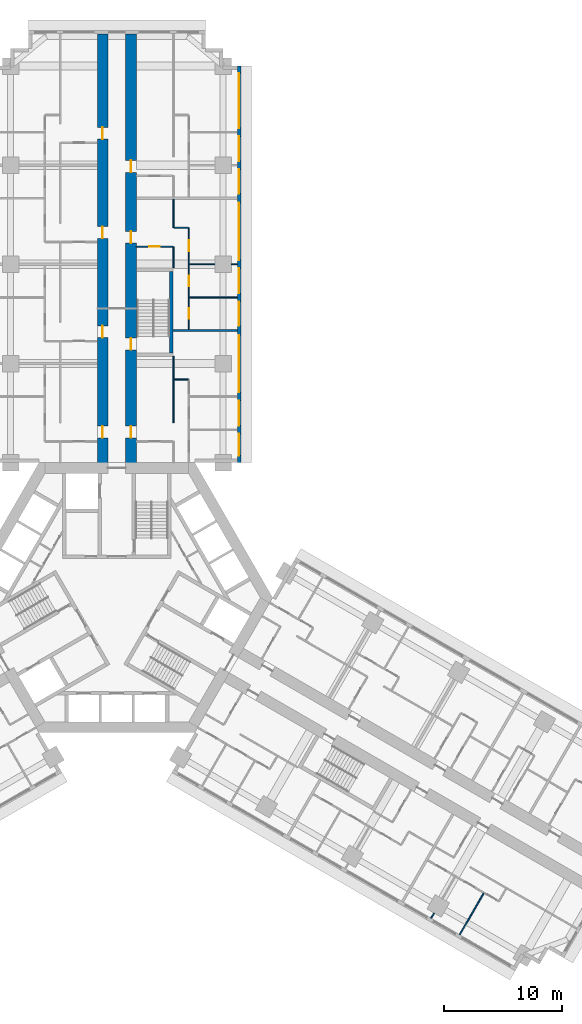
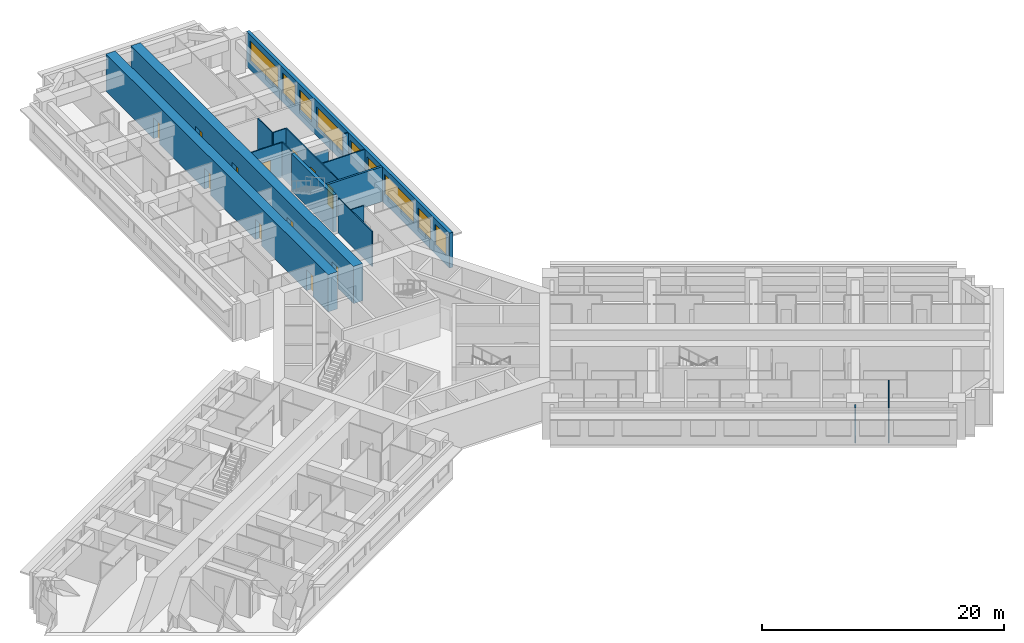
# One storey, part 10 of 16: 17 walls, 12 doors, 9 windows, 21 openings.
"""IFC4 building model written with IfcOpenShell, lengths in metres."""

from ifc_helpers import new_model, si_unit, direction, frame, frame_2d, origin, place, context, subcontext, project, spatial, rectangle, extrude, material, layer, layer_set, type_object, element, fill, save


model = new_model("IFC4")

# Units and contexts
model_context = context("Model", 3, precision=1e-05, world=origin(), true_north=direction((0.0, 1.0)))
body_context = subcontext(model_context, "Body", "Model", "MODEL_VIEW")
ifc_project = project(units=[si_unit("LENGTHUNIT", "METRE"), si_unit("AREAUNIT", "SQUARE_METRE"), si_unit("VOLUMEUNIT", "CUBIC_METRE"), si_unit("PLANEANGLEUNIT", "RADIAN"), si_unit("MASSUNIT", "GRAM", prefix="KILO")], contexts=[model_context])

# Site, building, storey
site_placement = place(None, origin())
site = spatial("IfcSite", under=ifc_project, at=site_placement, CompositionType="ELEMENT")
building_placement = place(site_placement, origin())
building = spatial("IfcBuilding", under=site, at=building_placement, Name="Impinga Residences", CompositionType="ELEMENT")
storey_placement = place(building_placement, frame((0.0, 0.0, 71.0)))
storey = spatial("IfcBuildingStorey", under=building, at=storey_placement, Name="L17", CompositionType="ELEMENT", Elevation=71.0)

# Wall, openings, doors
ifc_material_1 = material(Name="Concrete C70/85", Category="concrete")
ifc_layer_1 = layer(ifc_material_1, 0.89990234375)
ifc_layer_set_1 = layer_set([ifc_layer_1], Name="Concrete C70/85")
wall_type_1 = type_object("IfcWallType", Name="BW1 corridor buttress wall, L05 to L22 900", PredefinedType="SHEAR", material=ifc_layer_set_1)
wall_1_placement = place(storey_placement, frame((-1.199951171875, 10.9814453125, 0.0), z_axis=(0.0, 0.0, 1.0), x_axis=(0.0, 1.0, 0.0)))
wall_1 = element("IfcWall", 1, at=wall_1_placement, inside=storey, type_object=wall_type_1, Name="Corridor wall BW1 NC L17", PredefinedType="SHEAR", context=body_context, shape_type="SweptSolid", body=[
    extrude(rectangle(XDim=36.75, YDim=0.89990234375, at=frame_2d((18.375, 0.0))), origin(), (0.0, 0.0, 1.0), 3.75),
])
opening_1_placement = place(wall_1_placement, frame((2.550048828125, 0.0, 0.0)))
opening_1 = element("IfcOpeningElement", 2, at=opening_1_placement, cuts=wall_1, Name="Opening D1", PredefinedType="OPENING", context=body_context, shape_type="SweptSolid", body=[
    extrude(rectangle(XDim=1.0, YDim=2.10009765625, at=frame_2d((0.5, 1.050048828125))), frame((0.0, 0.4599609375, 0.0), z_axis=(0.0, -1.0, 0.0), x_axis=(1.0, 0.0, 0.0)), (0.0, 0.0, 1.0), 0.919921875),
])
opening_2_placement = place(wall_1_placement, frame((11.050048828125, 0.0, 0.0)))
opening_2 = element("IfcOpeningElement", 3, at=opening_2_placement, cuts=wall_1, Name="Opening D1", PredefinedType="OPENING", context=body_context, shape_type="SweptSolid", body=[
    extrude(rectangle(XDim=1.0, YDim=2.10009765625, at=frame_2d((0.5, 1.050048828125))), frame((0.0, 0.4599609375, 0.0), z_axis=(0.0, -1.0, 0.0), x_axis=(1.0, 0.0, 0.0)), (0.0, 0.0, 1.0), 0.919921875),
])
opening_3_placement = place(wall_1_placement, frame((19.449951171875, 0.0, 0.0)))
opening_3 = element("IfcOpeningElement", 4, at=opening_3_placement, cuts=wall_1, Name="Opening D1", PredefinedType="OPENING", context=body_context, shape_type="SweptSolid", body=[
    extrude(rectangle(XDim=1.0, YDim=2.10009765625, at=frame_2d((0.5, 1.050048828125))), frame((0.0, 0.4599609375, 0.0), z_axis=(0.0, -1.0, 0.0), x_axis=(1.0, 0.0, 0.0)), (0.0, 0.0, 1.0), 0.919921875),
])
opening_4_placement = place(wall_1_placement, frame((27.85009765625, 0.0, 0.0)))
opening_4 = element("IfcOpeningElement", 5, at=opening_4_placement, cuts=wall_1, Name="Opening D1", PredefinedType="OPENING", context=body_context, shape_type="SweptSolid", body=[
    extrude(rectangle(XDim=1.0, YDim=2.10009765625, at=frame_2d((0.5, 1.050048828125))), frame((0.0, 0.4599609375, 0.0), z_axis=(0.0, -1.0, 0.0), x_axis=(1.0, 0.0, 0.0)), (0.0, 0.0, 1.0), 0.919921875),
])
ifc_material_2 = material(Name="Timber door set", Category="wood")
door_type_1 = type_object("IfcDoorType", Name="D1 apartment entrance door 1000x2100", OperationType="SINGLE_SWING_LEFT", PredefinedType="DOOR", material=ifc_material_2)
door_1_placement = place(opening_1_placement, origin())
door_1 = element("IfcDoor", 6, at=door_1_placement, inside=storey, type_object=door_type_1, Name="Apartment L17-NA1 entrance", OperationType="SINGLE_SWING_LEFT", OverallHeight=2.10009765625, OverallWidth=1.0, PredefinedType="DOOR", context=body_context, shape_type="SweptSolid", body=[
    extrude(rectangle(XDim=1.0, YDim=2.10009765625, at=frame_2d((0.5, 1.050048828125))), frame((0.0, 0.02490234375, 0.0), z_axis=(0.0, -1.0, 0.0), x_axis=(1.0, 0.0, 0.0)), (0.0, 0.0, 1.0), 0.050048828125),
])
fill(opening_1, door_1)
door_2_placement = place(opening_2_placement, origin())
door_2 = element("IfcDoor", 7, at=door_2_placement, inside=storey, type_object=door_type_1, Name="Apartment L17-NA2 entrance", OperationType="SINGLE_SWING_LEFT", OverallHeight=2.10009765625, OverallWidth=1.0, PredefinedType="DOOR", context=body_context, shape_type="SweptSolid", body=[
    extrude(rectangle(XDim=1.0, YDim=2.10009765625, at=frame_2d((0.5, 1.050048828125))), frame((0.0, 0.02490234375, 0.0), z_axis=(0.0, -1.0, 0.0), x_axis=(1.0, 0.0, 0.0)), (0.0, 0.0, 1.0), 0.050048828125),
])
fill(opening_2, door_2)
door_3_placement = place(opening_3_placement, origin())
door_3 = element("IfcDoor", 8, at=door_3_placement, inside=storey, type_object=door_type_1, Name="Apartment L17-NA3 entrance", OperationType="SINGLE_SWING_RIGHT", OverallHeight=2.10009765625, OverallWidth=1.0, PredefinedType="DOOR", context=body_context, shape_type="SweptSolid", body=[
    extrude(rectangle(XDim=1.0, YDim=2.10009765625, at=frame_2d((0.5, 1.050048828125))), frame((0.0, 0.02490234375, 0.0), z_axis=(0.0, -1.0, 0.0), x_axis=(1.0, 0.0, 0.0)), (0.0, 0.0, 1.0), 0.050048828125),
])
fill(opening_3, door_3)
door_4_placement = place(opening_4_placement, origin())
door_4 = element("IfcDoor", 9, at=door_4_placement, inside=storey, type_object=door_type_1, Name="Apartment L17-NA4 entrance", OperationType="SINGLE_SWING_RIGHT", OverallHeight=2.10009765625, OverallWidth=1.0, PredefinedType="DOOR", context=body_context, shape_type="SweptSolid", body=[
    extrude(rectangle(XDim=1.0, YDim=2.10009765625, at=frame_2d((0.5, 1.050048828125))), frame((0.0, 0.02490234375, 0.0), z_axis=(0.0, -1.0, 0.0), x_axis=(1.0, 0.0, 0.0)), (0.0, 0.0, 1.0), 0.050048828125),
])
fill(opening_4, door_4)

wall_2_placement = place(storey_placement, frame((1.199951171875, 10.9814453125, 0.0), z_axis=(0.0, 0.0, 1.0), x_axis=(0.0, 1.0, 0.0)))
wall_2 = element("IfcWall", 10, at=wall_2_placement, inside=storey, type_object=wall_type_1, Name="Corridor wall BW1 ND L17", PredefinedType="SHEAR", context=body_context, shape_type="SweptSolid", body=[
    extrude(rectangle(XDim=36.75, YDim=0.89990234375, at=frame_2d((18.375, 0.0))), origin(), (0.0, 0.0, 1.0), 3.75),
])
opening_5_placement = place(wall_2_placement, frame((10.0, 0.0, 0.0)))
opening_5 = element("IfcOpeningElement", 11, at=opening_5_placement, cuts=wall_2, Name="Opening D5", PredefinedType="OPENING", context=body_context, shape_type="SweptSolid", body=[
    extrude(rectangle(XDim=1.0, YDim=2.10009765625, at=frame_2d((0.5, 1.050048828125))), frame((0.0, 0.4599609375, 0.0), z_axis=(0.0, -1.0, 0.0), x_axis=(1.0, 0.0, 0.0)), (0.0, 0.0, 1.0), 0.919921875),
])
opening_6_placement = place(wall_2_placement, frame((2.550048828125, 0.0, 0.0)))
opening_6 = element("IfcOpeningElement", 12, at=opening_6_placement, cuts=wall_2, Name="Opening D1", PredefinedType="OPENING", context=body_context, shape_type="SweptSolid", body=[
    extrude(rectangle(XDim=1.0, YDim=2.10009765625, at=frame_2d((0.5, 1.050048828125))), frame((0.0, 0.4599609375, 0.0), z_axis=(0.0, -1.0, 0.0), x_axis=(1.0, 0.0, 0.0)), (0.0, 0.0, 1.0), 0.919921875),
])
opening_7_placement = place(wall_2_placement, frame((19.050048828125, 0.0, 0.0)))
opening_7 = element("IfcOpeningElement", 13, at=opening_7_placement, cuts=wall_2, Name="Opening D1", PredefinedType="OPENING", context=body_context, shape_type="SweptSolid", body=[
    extrude(rectangle(XDim=1.0, YDim=2.10009765625, at=frame_2d((0.5, 1.050048828125))), frame((0.0, 0.4599609375, 0.0), z_axis=(0.0, -1.0, 0.0), x_axis=(1.0, 0.0, 0.0)), (0.0, 0.0, 1.0), 0.919921875),
])
opening_8_placement = place(wall_2_placement, frame((25.050048828125, 0.0, 0.0)))
opening_8 = element("IfcOpeningElement", 14, at=opening_8_placement, cuts=wall_2, Name="Opening D1", PredefinedType="OPENING", context=body_context, shape_type="SweptSolid", body=[
    extrude(rectangle(XDim=1.0, YDim=2.10009765625, at=frame_2d((0.5, 1.050048828125))), frame((0.0, 0.4599609375, 0.0), z_axis=(0.0, -1.0, 0.0), x_axis=(1.0, 0.0, 0.0)), (0.0, 0.0, 1.0), 0.919921875),
])
door_5_placement = place(opening_6_placement, origin())
door_5 = element("IfcDoor", 15, at=door_5_placement, inside=storey, type_object=door_type_1, Name="Apartment L17-NF1 entrance", OperationType="SINGLE_SWING_LEFT", OverallHeight=2.10009765625, OverallWidth=1.0, PredefinedType="DOOR", context=body_context, shape_type="SweptSolid", body=[
    extrude(rectangle(XDim=1.0, YDim=2.10009765625, at=frame_2d((0.5, 1.050048828125))), frame((0.0, 0.02490234375, 0.0), z_axis=(0.0, -1.0, 0.0), x_axis=(1.0, 0.0, 0.0)), (0.0, 0.0, 1.0), 0.050048828125),
])
fill(opening_6, door_5)
door_6_placement = place(opening_7_placement, origin())
door_6 = element("IfcDoor", 16, at=door_6_placement, inside=storey, type_object=door_type_1, Name="Apartment L17-NF2 entrance", OperationType="SINGLE_SWING_RIGHT", OverallHeight=2.10009765625, OverallWidth=1.0, PredefinedType="DOOR", context=body_context, shape_type="SweptSolid", body=[
    extrude(rectangle(XDim=1.0, YDim=2.10009765625, at=frame_2d((0.5, 1.050048828125))), frame((0.0, 0.02490234375, 0.0), z_axis=(0.0, -1.0, 0.0), x_axis=(1.0, 0.0, 0.0)), (0.0, 0.0, 1.0), 0.050048828125),
])
fill(opening_7, door_6)
door_7_placement = place(opening_8_placement, origin())
door_7 = element("IfcDoor", 17, at=door_7_placement, inside=storey, type_object=door_type_1, Name="Apartment L17-NF3 entrance", OperationType="SINGLE_SWING_RIGHT", OverallHeight=2.10009765625, OverallWidth=1.0, PredefinedType="DOOR", context=body_context, shape_type="SweptSolid", body=[
    extrude(rectangle(XDim=1.0, YDim=2.10009765625, at=frame_2d((0.5, 1.050048828125))), frame((0.0, 0.02490234375, 0.0), z_axis=(0.0, -1.0, 0.0), x_axis=(1.0, 0.0, 0.0)), (0.0, 0.0, 1.0), 0.050048828125),
])
fill(opening_8, door_7)
door_type_2 = type_object("IfcDoorType", Name="D5 stair door 1000x2100", OperationType="SINGLE_SWING_LEFT", PredefinedType="DOOR", material=ifc_material_2)
door_8_placement = place(opening_5_placement, origin())
door_8 = element("IfcDoor", 18, at=door_8_placement, inside=storey, type_object=door_type_2, Name="Wing stair door N", OperationType="SINGLE_SWING_LEFT", OverallHeight=2.10009765625, OverallWidth=1.0, PredefinedType="DOOR", context=body_context, shape_type="SweptSolid", body=[
    extrude(rectangle(XDim=1.0, YDim=2.10009765625, at=frame_2d((0.5, 1.050048828125))), frame((0.0, 0.02490234375, 0.0), z_axis=(0.0, -1.0, 0.0), x_axis=(1.0, 0.0, 0.0)), (0.0, 0.0, 1.0), 0.050048828125),
])
fill(opening_5, door_8)

# Wall, openings, windows
ifc_material_3 = material(Name="Terracotta rainscreen on blockwork", Category="masonry")
ifc_layer_2 = layer(ifc_material_3, 0.300048828125)
ifc_layer_set_2 = layer_set([ifc_layer_2], Name="EW1 external wall, terracotta rainscreen on blockwork 300")
wall_type_2 = type_object("IfcWallType", Name="EW1 external wall, terracotta rainscreen on blockwork 300", PredefinedType="SOLIDWALL", material=ifc_layer_set_2)
wall_3_placement = place(storey_placement, frame((10.35009765625, 45.031494140625, 0.0), z_axis=(0.0, 0.0, 1.0), x_axis=(0.0, -1.0, 0.0)))
wall_3 = element("IfcWall", 19, at=wall_3_placement, inside=storey, type_object=wall_type_2, Name="External wall EW1 L17", PredefinedType="SOLIDWALL", context=body_context, shape_type="SweptSolid", body=[
    extrude(rectangle(XDim=33.599853515625, YDim=0.300048828125, at=frame_2d((16.7998046875, 0.0))), origin(), (0.0, 0.0, 1.0), 3.530029296875),
])
opening_9_placement = place(wall_3_placement, frame((0.60009765625, 0.0, 0.89990234375)))
opening_9 = element("IfcOpeningElement", 20, at=opening_9_placement, cuts=wall_3, Name="Opening W10", PredefinedType="OPENING", context=body_context, shape_type="SweptSolid", body=[
    extrude(rectangle(XDim=4.64990234375, YDim=2.050048828125, at=frame_2d((2.324951171875, 1.02490234375))), frame((0.0, 0.159912109375, 0.0), z_axis=(0.0, -1.0, 0.0), x_axis=(1.0, 0.0, 0.0)), (0.0, 0.0, 1.0), 0.320068359375),
])
opening_10_placement = place(wall_3_placement, frame((5.949951171875, 0.0, 0.89990234375)))
opening_10 = element("IfcOpeningElement", 21, at=opening_10_placement, cuts=wall_3, Name="Opening W9", PredefinedType="OPENING", context=body_context, shape_type="SweptSolid", body=[
    extrude(rectangle(XDim=2.10009765625, YDim=2.050048828125, at=frame_2d((1.050048828125, 1.02490234375))), frame((0.0, 0.159912109375, 0.0), z_axis=(0.0, -1.0, 0.0), x_axis=(1.0, 0.0, 0.0)), (0.0, 0.0, 1.0), 0.320068359375),
])
opening_11_placement = place(wall_3_placement, frame((8.75, 0.0, 0.89990234375)))
opening_11 = element("IfcOpeningElement", 22, at=opening_11_placement, cuts=wall_3, Name="Opening W14", PredefinedType="OPENING", context=body_context, shape_type="SweptSolid", body=[
    extrude(rectangle(XDim=2.050048828125, YDim=2.050048828125, at=frame_2d((1.02490234375, 1.02490234375))), frame((0.0, 0.159912109375, 0.0), z_axis=(0.0, -1.0, 0.0), x_axis=(1.0, 0.0, 0.0)), (0.0, 0.0, 1.0), 0.320068359375),
])
opening_12_placement = place(wall_3_placement, frame((11.60009765625, 0.0, 0.89990234375)))
opening_12 = element("IfcOpeningElement", 23, at=opening_12_placement, cuts=wall_3, Name="Opening W6", PredefinedType="OPENING", context=body_context, shape_type="SweptSolid", body=[
    extrude(rectangle(XDim=4.85009765625, YDim=2.050048828125, at=frame_2d((2.425048828125, 1.02490234375))), frame((0.0, 0.159912109375, 0.0), z_axis=(0.0, -1.0, 0.0), x_axis=(1.0, 0.0, 0.0)), (0.0, 0.0, 1.0), 0.320068359375),
])
opening_13_placement = place(wall_3_placement, frame((17.14990234375, 0.0, 0.89990234375)))
opening_13 = element("IfcOpeningElement", 24, at=opening_13_placement, cuts=wall_3, Name="Opening W9", PredefinedType="OPENING", context=body_context, shape_type="SweptSolid", body=[
    extrude(rectangle(XDim=2.10009765625, YDim=2.050048828125, at=frame_2d((1.050048828125, 1.02490234375))), frame((0.0, 0.159912109375, 0.0), z_axis=(0.0, -1.0, 0.0), x_axis=(1.0, 0.0, 0.0)), (0.0, 0.0, 1.0), 0.320068359375),
])
opening_14_placement = place(wall_3_placement, frame((19.949951171875, 0.0, 0.89990234375)))
opening_14 = element("IfcOpeningElement", 25, at=opening_14_placement, cuts=wall_3, Name="Opening W14", PredefinedType="OPENING", context=body_context, shape_type="SweptSolid", body=[
    extrude(rectangle(XDim=2.050048828125, YDim=2.050048828125, at=frame_2d((1.02490234375, 1.02490234375))), frame((0.0, 0.159912109375, 0.0), z_axis=(0.0, -1.0, 0.0), x_axis=(1.0, 0.0, 0.0)), (0.0, 0.0, 1.0), 0.320068359375),
])
opening_15_placement = place(wall_3_placement, frame((22.800048828125, 0.0, 0.89990234375)))
opening_15 = element("IfcOpeningElement", 26, at=opening_15_placement, cuts=wall_3, Name="Opening W6", PredefinedType="OPENING", context=body_context, shape_type="SweptSolid", body=[
    extrude(rectangle(XDim=4.85009765625, YDim=2.050048828125, at=frame_2d((2.425048828125, 1.02490234375))), frame((0.0, 0.159912109375, 0.0), z_axis=(0.0, -1.0, 0.0), x_axis=(1.0, 0.0, 0.0)), (0.0, 0.0, 1.0), 0.320068359375),
])
opening_16_placement = place(wall_3_placement, frame((28.35009765625, 0.0, 0.89990234375)))
opening_16 = element("IfcOpeningElement", 27, at=opening_16_placement, cuts=wall_3, Name="Opening W9", PredefinedType="OPENING", context=body_context, shape_type="SweptSolid", body=[
    extrude(rectangle(XDim=2.10009765625, YDim=2.050048828125, at=frame_2d((1.050048828125, 1.02490234375))), frame((0.0, 0.159912109375, 0.0), z_axis=(0.0, -1.0, 0.0), x_axis=(1.0, 0.0, 0.0)), (0.0, 0.0, 1.0), 0.320068359375),
])
opening_17_placement = place(wall_3_placement, frame((31.14990234375, 0.0, 0.89990234375)))
opening_17 = element("IfcOpeningElement", 28, at=opening_17_placement, cuts=wall_3, Name="Opening W15", PredefinedType="OPENING", context=body_context, shape_type="SweptSolid", body=[
    extrude(rectangle(XDim=1.85009765625, YDim=2.050048828125, at=frame_2d((0.925048828125, 1.02490234375))), frame((0.0, 0.159912109375, 0.0), z_axis=(0.0, -1.0, 0.0), x_axis=(1.0, 0.0, 0.0)), (0.0, 0.0, 1.0), 0.320068359375),
])
ifc_material_4 = material(Name="Aluminium window, clear double glazing", Category="aluminium")
window_type_1 = type_object("IfcWindowType", Name="W10 ribbon window 4650x2050", PartitioningType="SINGLE_PANEL", PredefinedType="WINDOW", material=ifc_material_4)
window_1_placement = place(opening_9_placement, origin())
window_1 = element("IfcWindow", 29, at=window_1_placement, inside=storey, type_object=window_type_1, Name="Window L17", OverallHeight=2.050048828125, OverallWidth=4.64990234375, PartitioningType="SINGLE_PANEL", PredefinedType="WINDOW", context=body_context, shape_type="SweptSolid", body=[
    extrude(rectangle(XDim=4.64990234375, YDim=2.050048828125, at=frame_2d((2.324951171875, 1.02490234375))), frame((0.0, 0.030029296875, 0.0), z_axis=(0.0, -1.0, 0.0), x_axis=(1.0, 0.0, 0.0)), (0.0, 0.0, 1.0), 0.06005859375),
])
fill(opening_9, window_1)
window_type_2 = type_object("IfcWindowType", Name="W14 ribbon window 2050x2050", PartitioningType="SINGLE_PANEL", PredefinedType="WINDOW", material=ifc_material_4)
window_2_placement = place(opening_11_placement, origin())
window_2 = element("IfcWindow", 30, at=window_2_placement, inside=storey, type_object=window_type_2, Name="Window L17", OverallHeight=2.050048828125, OverallWidth=2.050048828125, PartitioningType="SINGLE_PANEL", PredefinedType="WINDOW", context=body_context, shape_type="SweptSolid", body=[
    extrude(rectangle(XDim=2.050048828125, YDim=2.050048828125, at=frame_2d((1.02490234375, 1.02490234375))), frame((0.0, 0.030029296875, 0.0), z_axis=(0.0, -1.0, 0.0), x_axis=(1.0, 0.0, 0.0)), (0.0, 0.0, 1.0), 0.06005859375),
])
fill(opening_11, window_2)
window_3_placement = place(opening_14_placement, origin())
window_3 = element("IfcWindow", 31, at=window_3_placement, inside=storey, type_object=window_type_2, Name="Window L17", OverallHeight=2.050048828125, OverallWidth=2.050048828125, PartitioningType="SINGLE_PANEL", PredefinedType="WINDOW", context=body_context, shape_type="SweptSolid", body=[
    extrude(rectangle(XDim=2.050048828125, YDim=2.050048828125, at=frame_2d((1.02490234375, 1.02490234375))), frame((0.0, 0.030029296875, 0.0), z_axis=(0.0, -1.0, 0.0), x_axis=(1.0, 0.0, 0.0)), (0.0, 0.0, 1.0), 0.06005859375),
])
fill(opening_14, window_3)
window_type_3 = type_object("IfcWindowType", Name="W15 ribbon window 1850x2050", PartitioningType="SINGLE_PANEL", PredefinedType="WINDOW", material=ifc_material_4)
window_4_placement = place(opening_17_placement, origin())
window_4 = element("IfcWindow", 32, at=window_4_placement, inside=storey, type_object=window_type_3, Name="Window L17", OverallHeight=2.050048828125, OverallWidth=1.85009765625, PartitioningType="SINGLE_PANEL", PredefinedType="WINDOW", context=body_context, shape_type="SweptSolid", body=[
    extrude(rectangle(XDim=1.85009765625, YDim=2.050048828125, at=frame_2d((0.925048828125, 1.02490234375))), frame((0.0, 0.030029296875, 0.0), z_axis=(0.0, -1.0, 0.0), x_axis=(1.0, 0.0, 0.0)), (0.0, 0.0, 1.0), 0.06005859375),
])
fill(opening_17, window_4)
window_type_4 = type_object("IfcWindowType", Name="W6 ribbon window 4850x2050", PartitioningType="SINGLE_PANEL", PredefinedType="WINDOW", material=ifc_material_4)
window_5_placement = place(opening_12_placement, origin())
window_5 = element("IfcWindow", 33, at=window_5_placement, inside=storey, type_object=window_type_4, Name="Window L17", OverallHeight=2.050048828125, OverallWidth=4.85009765625, PartitioningType="SINGLE_PANEL", PredefinedType="WINDOW", context=body_context, shape_type="SweptSolid", body=[
    extrude(rectangle(XDim=4.85009765625, YDim=2.050048828125, at=frame_2d((2.425048828125, 1.02490234375))), frame((0.0, 0.030029296875, 0.0), z_axis=(0.0, -1.0, 0.0), x_axis=(1.0, 0.0, 0.0)), (0.0, 0.0, 1.0), 0.06005859375),
])
fill(opening_12, window_5)
window_6_placement = place(opening_15_placement, origin())
window_6 = element("IfcWindow", 34, at=window_6_placement, inside=storey, type_object=window_type_4, Name="Window L17", OverallHeight=2.050048828125, OverallWidth=4.85009765625, PartitioningType="SINGLE_PANEL", PredefinedType="WINDOW", context=body_context, shape_type="SweptSolid", body=[
    extrude(rectangle(XDim=4.85009765625, YDim=2.050048828125, at=frame_2d((2.425048828125, 1.02490234375))), frame((0.0, 0.030029296875, 0.0), z_axis=(0.0, -1.0, 0.0), x_axis=(1.0, 0.0, 0.0)), (0.0, 0.0, 1.0), 0.06005859375),
])
fill(opening_15, window_6)
window_type_5 = type_object("IfcWindowType", Name="W9 ribbon window 2100x2050", PartitioningType="SINGLE_PANEL", PredefinedType="WINDOW", material=ifc_material_4)
window_7_placement = place(opening_10_placement, origin())
window_7 = element("IfcWindow", 35, at=window_7_placement, inside=storey, type_object=window_type_5, Name="Window L17", OverallHeight=2.050048828125, OverallWidth=2.10009765625, PartitioningType="SINGLE_PANEL", PredefinedType="WINDOW", context=body_context, shape_type="SweptSolid", body=[
    extrude(rectangle(XDim=2.10009765625, YDim=2.050048828125, at=frame_2d((1.050048828125, 1.02490234375))), frame((0.0, 0.030029296875, 0.0), z_axis=(0.0, -1.0, 0.0), x_axis=(1.0, 0.0, 0.0)), (0.0, 0.0, 1.0), 0.06005859375),
])
fill(opening_10, window_7)
window_8_placement = place(opening_13_placement, origin())
window_8 = element("IfcWindow", 36, at=window_8_placement, inside=storey, type_object=window_type_5, Name="Window L17", OverallHeight=2.050048828125, OverallWidth=2.10009765625, PartitioningType="SINGLE_PANEL", PredefinedType="WINDOW", context=body_context, shape_type="SweptSolid", body=[
    extrude(rectangle(XDim=2.10009765625, YDim=2.050048828125, at=frame_2d((1.050048828125, 1.02490234375))), frame((0.0, 0.030029296875, 0.0), z_axis=(0.0, -1.0, 0.0), x_axis=(1.0, 0.0, 0.0)), (0.0, 0.0, 1.0), 0.06005859375),
])
fill(opening_13, window_8)
window_9_placement = place(opening_16_placement, origin())
window_9 = element("IfcWindow", 37, at=window_9_placement, inside=storey, type_object=window_type_5, Name="Window L17", OverallHeight=2.050048828125, OverallWidth=2.10009765625, PartitioningType="SINGLE_PANEL", PredefinedType="WINDOW", context=body_context, shape_type="SweptSolid", body=[
    extrude(rectangle(XDim=2.10009765625, YDim=2.050048828125, at=frame_2d((1.050048828125, 1.02490234375))), frame((0.0, 0.030029296875, 0.0), z_axis=(0.0, -1.0, 0.0), x_axis=(1.0, 0.0, 0.0)), (0.0, 0.0, 1.0), 0.06005859375),
])
fill(opening_16, window_9)

# Walls
ifc_material_5 = material(Name="Gypsum board on steel studs", Category="steel")
ifc_layer_3 = layer(ifc_material_5, 0.10009765625)
ifc_layer_set_3 = layer_set([ifc_layer_3], Name="Gypsum board on steel studs")
wall_type_3 = type_object("IfcWallType", Name="IP1 partition 100", PredefinedType="PARTITIONING", material=ifc_layer_set_3)
wall_4_placement = place(storey_placement, frame((4.800048828125, 14.83154296875, 0.0), z_axis=(0.0, 0.0, 1.0), x_axis=(0.0, 1.0, 0.0)))
element("IfcWall", 38, at=wall_4_placement, inside=storey, type_object=wall_type_3, Name="Partition L17-NF1:DIV1", PredefinedType="PARTITIONING", context=body_context, shape_type="SweptSolid", body=[
    extrude(rectangle(XDim=5.60009765625, YDim=0.10009765625, at=frame_2d((2.800048828125, 0.0))), origin(), (0.0, 0.0, 1.0), 3.530029296875),
])
wall_5_placement = place(storey_placement, frame((4.85009765625, 18.4814453125, 0.0), z_axis=(0.0, 0.0, 1.0), x_axis=(1.0, 0.0, 0.0)))
element("IfcWall", 39, at=wall_5_placement, inside=storey, type_object=wall_type_3, Name="Partition L17-NF1:SE1", PredefinedType="PARTITIONING", context=body_context, shape_type="SweptSolid", body=[
    extrude(rectangle(XDim=1.199951171875, YDim=0.10009765625, at=frame_2d((0.60009765625, 0.0))), origin(), (0.0, 0.0, 1.0), 3.530029296875),
])
wall_6_placement = place(storey_placement, frame((4.800048828125, 27.931640625, 0.0), z_axis=(0.0, 0.0, 1.0), x_axis=(0.0, 1.0, 0.0)))
element("IfcWall", 40, at=wall_6_placement, inside=storey, type_object=wall_type_3, Name="Partition L17-NF2:DIV0", PredefinedType="PARTITIONING", context=body_context, shape_type="SweptSolid", body=[
    extrude(rectangle(XDim=1.7998046875, YDim=0.10009765625, at=frame_2d((0.89990234375, 0.0))), origin(), (0.0, 0.0, 1.0), 3.530029296875),
])
wall_7_placement = place(storey_placement, frame((4.800048828125, 31.33154296875, 0.0), z_axis=(0.0, 0.0, 1.0), x_axis=(0.0, 1.0, 0.0)))
element("IfcWall", 41, at=wall_7_placement, inside=storey, type_object=wall_type_3, Name="Partition L17-NF2:DIV1", PredefinedType="PARTITIONING", context=body_context, shape_type="SweptSolid", body=[
    extrude(rectangle(XDim=2.39990234375, YDim=0.10009765625, at=frame_2d((1.199951171875, 0.0))), origin(), (0.0, 0.0, 1.0), 3.530029296875),
])

# Wall, openings, doors
wall_8_placement = place(storey_placement, frame((6.10009765625, 22.7314453125, 0.0), z_axis=(0.0, 0.0, 1.0), x_axis=(0.0, 1.0, 0.0)))
wall_8 = element("IfcWall", 42, at=wall_8_placement, inside=storey, type_object=wall_type_3, Name="Partition L17-NF2:STRIP", PredefinedType="PARTITIONING", context=body_context, shape_type="SweptSolid", body=[
    extrude(rectangle(XDim=8.60009765625, YDim=0.10009765625, at=frame_2d((4.300048828125, 0.0))), origin(), (0.0, 0.0, 1.0), 3.530029296875),
])
opening_18_placement = place(wall_8_placement, frame((0.875, 0.0, 0.0)))
opening_18 = element("IfcOpeningElement", 43, at=opening_18_placement, cuts=wall_8, Name="Opening D2", PredefinedType="OPENING", context=body_context, shape_type="SweptSolid", body=[
    extrude(rectangle(XDim=0.89990234375, YDim=2.10009765625, at=frame_2d((0.449951171875, 1.050048828125))), frame((0.0, 0.06005859375, 0.0), z_axis=(0.0, -1.0, 0.0), x_axis=(1.0, 0.0, 0.0)), (0.0, 0.0, 1.0), 0.1201171875),
])
opening_19_placement = place(wall_8_placement, frame((3.64990234375, 0.0, 0.0)))
opening_19 = element("IfcOpeningElement", 44, at=opening_19_placement, cuts=wall_8, Name="Opening D2", PredefinedType="OPENING", context=body_context, shape_type="SweptSolid", body=[
    extrude(rectangle(XDim=0.89990234375, YDim=2.10009765625, at=frame_2d((0.449951171875, 1.050048828125))), frame((0.0, 0.06005859375, 0.0), z_axis=(0.0, -1.0, 0.0), x_axis=(1.0, 0.0, 0.0)), (0.0, 0.0, 1.0), 0.1201171875),
])
opening_20_placement = place(wall_8_placement, frame((6.625, 0.0, 0.0)))
opening_20 = element("IfcOpeningElement", 45, at=opening_20_placement, cuts=wall_8, Name="Opening D2", PredefinedType="OPENING", context=body_context, shape_type="SweptSolid", body=[
    extrude(rectangle(XDim=0.89990234375, YDim=2.10009765625, at=frame_2d((0.449951171875, 1.050048828125))), frame((0.0, 0.06005859375, 0.0), z_axis=(0.0, -1.0, 0.0), x_axis=(1.0, 0.0, 0.0)), (0.0, 0.0, 1.0), 0.1201171875),
])
door_type_3 = type_object("IfcDoorType", Name="D2 internal door 900x2100", OperationType="SINGLE_SWING_LEFT", PredefinedType="DOOR", material=ifc_material_2)
door_9_placement = place(opening_18_placement, origin())
door_9 = element("IfcDoor", 46, at=door_9_placement, inside=storey, type_object=door_type_3, Name="Apartment L17-NF2 room door", OperationType="SINGLE_SWING_LEFT", OverallHeight=2.10009765625, OverallWidth=0.89990234375, PredefinedType="DOOR", context=body_context, shape_type="SweptSolid", body=[
    extrude(rectangle(XDim=0.89990234375, YDim=2.10009765625, at=frame_2d((0.449951171875, 1.050048828125))), frame((0.0, 0.02490234375, 0.0), z_axis=(0.0, -1.0, 0.0), x_axis=(1.0, 0.0, 0.0)), (0.0, 0.0, 1.0), 0.050048828125),
])
fill(opening_18, door_9)
door_10_placement = place(opening_19_placement, origin())
door_10 = element("IfcDoor", 47, at=door_10_placement, inside=storey, type_object=door_type_3, Name="Apartment L17-NF2 room door", OperationType="SINGLE_SWING_LEFT", OverallHeight=2.10009765625, OverallWidth=0.89990234375, PredefinedType="DOOR", context=body_context, shape_type="SweptSolid", body=[
    extrude(rectangle(XDim=0.89990234375, YDim=2.10009765625, at=frame_2d((0.449951171875, 1.050048828125))), frame((0.0, 0.02490234375, 0.0), z_axis=(0.0, -1.0, 0.0), x_axis=(1.0, 0.0, 0.0)), (0.0, 0.0, 1.0), 0.050048828125),
])
fill(opening_19, door_10)
door_11_placement = place(opening_20_placement, origin())
door_11 = element("IfcDoor", 48, at=door_11_placement, inside=storey, type_object=door_type_3, Name="Apartment L17-NF2 room door", OperationType="SINGLE_SWING_RIGHT", OverallHeight=2.10009765625, OverallWidth=0.89990234375, PredefinedType="DOOR", context=body_context, shape_type="SweptSolid", body=[
    extrude(rectangle(XDim=0.89990234375, YDim=2.10009765625, at=frame_2d((0.449951171875, 1.050048828125))), frame((0.0, 0.02490234375, 0.0), z_axis=(0.0, -1.0, 0.0), x_axis=(1.0, 0.0, 0.0)), (0.0, 0.0, 1.0), 0.050048828125),
])
fill(opening_20, door_11)

# Wall
wall_9_placement = place(storey_placement, frame((4.85009765625, 31.33154296875, 0.0), z_axis=(0.0, 0.0, 1.0), x_axis=(1.0, 0.0, 0.0)))
element("IfcWall", 49, at=wall_9_placement, inside=storey, type_object=wall_type_3, Name="Partition L17-NF2:SE1", PredefinedType="PARTITIONING", context=body_context, shape_type="SweptSolid", body=[
    extrude(rectangle(XDim=1.199951171875, YDim=0.10009765625, at=frame_2d((0.60009765625, 0.0))), origin(), (0.0, 0.0, 1.0), 3.530029296875),
])

# Wall, opening, door
wall_10_placement = place(storey_placement, frame((1.64990234375, 29.7314453125, 0.0), z_axis=(0.0, 0.0, 1.0), x_axis=(1.0, 0.0, 0.0)))
wall_10 = element("IfcWall", 50, at=wall_10_placement, inside=storey, type_object=wall_type_3, Name="Partition L17-NF2:IB1", PredefinedType="PARTITIONING", context=body_context, shape_type="SweptSolid", body=[
    extrude(rectangle(XDim=3.10009765625, YDim=0.10009765625, at=frame_2d((1.550048828125, 0.0))), origin(), (0.0, 0.0, 1.0), 3.530029296875),
])
opening_21_placement = place(wall_10_placement, frame((1.10009765625, 0.0, 0.0)))
opening_21 = element("IfcOpeningElement", 51, at=opening_21_placement, cuts=wall_10, Name="Opening D2", PredefinedType="OPENING", context=body_context, shape_type="SweptSolid", body=[
    extrude(rectangle(XDim=0.89990234375, YDim=2.10009765625, at=frame_2d((0.449951171875, 1.050048828125))), frame((0.0, 0.06005859375, 0.0), z_axis=(0.0, -1.0, 0.0), x_axis=(1.0, 0.0, 0.0)), (0.0, 0.0, 1.0), 0.1201171875),
])
door_12_placement = place(opening_21_placement, origin())
door_12 = element("IfcDoor", 52, at=door_12_placement, inside=storey, type_object=door_type_3, Name="Apartment L17-NF2 bathroom door", OperationType="SINGLE_SWING_LEFT", OverallHeight=2.10009765625, OverallWidth=0.89990234375, PredefinedType="DOOR", context=body_context, shape_type="SweptSolid", body=[
    extrude(rectangle(XDim=0.89990234375, YDim=2.10009765625, at=frame_2d((0.449951171875, 1.050048828125))), frame((0.0, 0.02490234375, 0.0), z_axis=(0.0, -1.0, 0.0), x_axis=(1.0, 0.0, 0.0)), (0.0, 0.0, 1.0), 0.050048828125),
])
fill(opening_21, door_12)

# Walls
wall_11_placement = place(storey_placement, frame((6.14990234375, 25.431640625, 0.0), z_axis=(0.0, 0.0, 1.0), x_axis=(1.0, 0.0, 0.0)))
element("IfcWall", 53, at=wall_11_placement, inside=storey, type_object=wall_type_3, Name="Partition L17-NF2:OB1", PredefinedType="PARTITIONING", context=body_context, shape_type="SweptSolid", body=[
    extrude(rectangle(XDim=4.050048828125, YDim=0.10009765625, at=frame_2d((2.02490234375, 0.0))), origin(), (0.0, 0.0, 1.0), 3.530029296875),
])
wall_12_placement = place(storey_placement, frame((6.14990234375, 28.2314453125, 0.0), z_axis=(0.0, 0.0, 1.0), x_axis=(1.0, 0.0, 0.0)))
element("IfcWall", 54, at=wall_12_placement, inside=storey, type_object=wall_type_3, Name="Partition L17-NF2:OB2", PredefinedType="PARTITIONING", context=body_context, shape_type="SweptSolid", body=[
    extrude(rectangle(XDim=2.150146484375, YDim=0.10009765625, at=frame_2d((1.0751953125, 0.0))), origin(), (0.0, 0.0, 1.0), 2.47998046875),
])
wall_13_placement = place(storey_placement, frame((9.699951171875, 28.2314453125, 0.0), z_axis=(0.0, 0.0, 1.0), x_axis=(1.0, 0.0, 0.0)))
element("IfcWall", 55, at=wall_13_placement, inside=storey, type_object=wall_type_3, Name="Partition L17-NF2:OB2b", PredefinedType="PARTITIONING", context=body_context, shape_type="SweptSolid", body=[
    extrude(rectangle(XDim=0.5, YDim=0.10009765625, at=frame_2d((0.25, 0.0))), origin(), (0.0, 0.0, 1.0), 3.530029296875),
])
wall_14_placement = place(storey_placement, frame((26.873779296875, -26.71630859375, 0.0), z_axis=(0.0, 0.0, 1.0), x_axis=(-0.500131122175, -0.865949687125, 0.0)))
element("IfcWall", 56, at=wall_14_placement, inside=storey, type_object=wall_type_3, Name="Partition L17-EF3:OB1b", PredefinedType="PARTITIONING", context=body_context, shape_type="SweptSolid", body=[
    extrude(rectangle(XDim=0.499755859375, YDim=0.10009765625, at=frame_2d((0.25, 0.0))), origin(), (0.0, 0.0, 1.0), 3.530029296875),
])
wall_15_placement = place(storey_placement, frame((31.07373046875, -25.041748046875, 0.0), z_axis=(0.0, 0.0, 1.0), x_axis=(-0.499964223975, -0.866046058097, 0.0)))
element("IfcWall", 57, at=wall_15_placement, inside=storey, type_object=wall_type_3, Name="Partition L17-EF3:OB2", PredefinedType="PARTITIONING", context=body_context, shape_type="SweptSolid", body=[
    extrude(rectangle(XDim=4.050048828125, YDim=0.10009765625, at=frame_2d((2.02490234375, 0.0))), origin(), (0.0, 0.0, 1.0), 3.530029296875),
])
ifc_material_6 = material(Name="Concrete blockwork", Category="masonry")
ifc_layer_4 = layer(ifc_material_6, 0.199951171875)
ifc_layer_set_4 = layer_set([ifc_layer_4], Name="PW1 party wall between apartments 200")
wall_type_4 = type_object("IfcWallType", Name="PW1 party wall between apartments 200", PredefinedType="SOLIDWALL", material=ifc_layer_set_4)
wall_16_placement = place(storey_placement, frame((4.75, 22.631591796875, 0.0), z_axis=(0.0, 0.0, 1.0), x_axis=(1.0, 0.0, 0.0)))
element("IfcWall", 58, at=wall_16_placement, inside=storey, type_object=wall_type_4, Name="Party wall between apartments L17-NF1:PARTY", PredefinedType="SOLIDWALL", context=body_context, shape_type="SweptSolid", body=[
    extrude(rectangle(XDim=5.449951171875, YDim=0.199951171875, at=frame_2d((2.72509765625, 0.0))), origin(), (0.0, 0.0, 1.0), 3.530029296875),
])
ifc_material_7 = material(Name="Concrete C60/75", Category="concrete")
ifc_layer_5 = layer(ifc_material_7, 0.300048828125)
ifc_layer_set_5 = layer_set([ifc_layer_5], Name="Concrete C60/75")
wall_type_5 = type_object("IfcWallType", Name="SE1 wing stair enclosure wall 300", PredefinedType="SOLIDWALL", material=ifc_layer_set_5)
wall_17_placement = place(storey_placement, frame((4.60009765625, 20.7314453125, 0.0), z_axis=(0.0, 0.0, 1.0), x_axis=(0.0, 1.0, 0.0)))
element("IfcWall", 59, at=wall_17_placement, inside=storey, type_object=wall_type_5, Name="Stair enclosure wall SE1 N OUT L17", PredefinedType="SOLIDWALL", context=body_context, shape_type="SweptSolid", body=[
    extrude(rectangle(XDim=6.900146484375, YDim=0.300048828125, at=frame_2d((3.4501953125, 0.0))), origin(), (0.0, 0.0, 1.0), 3.75),
])

save(model, "model.ifc")
